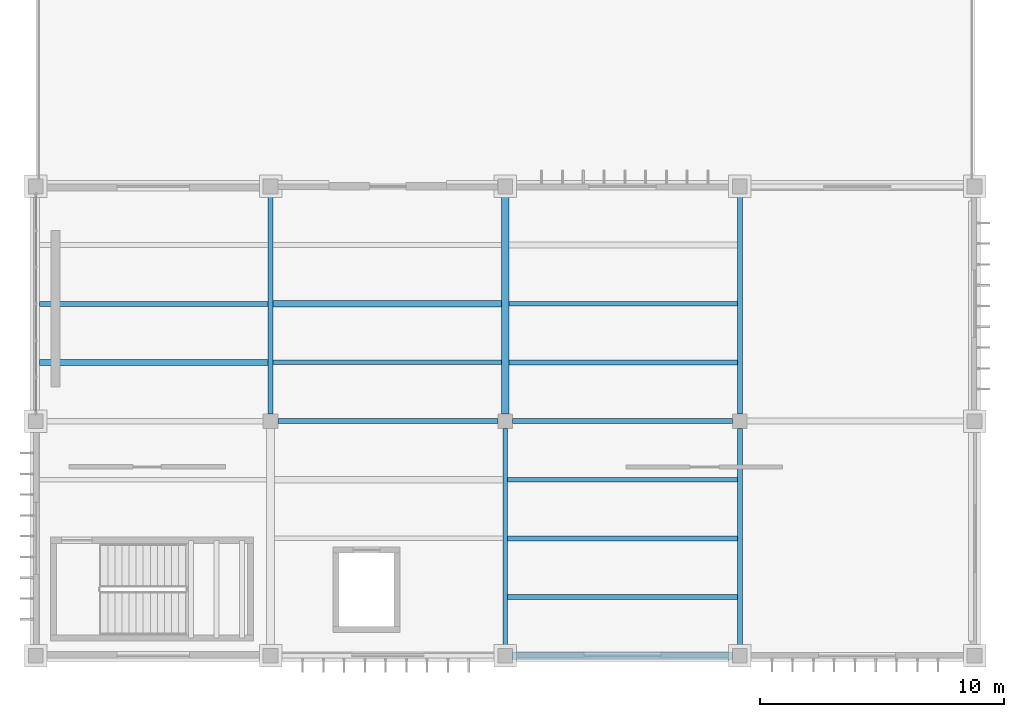
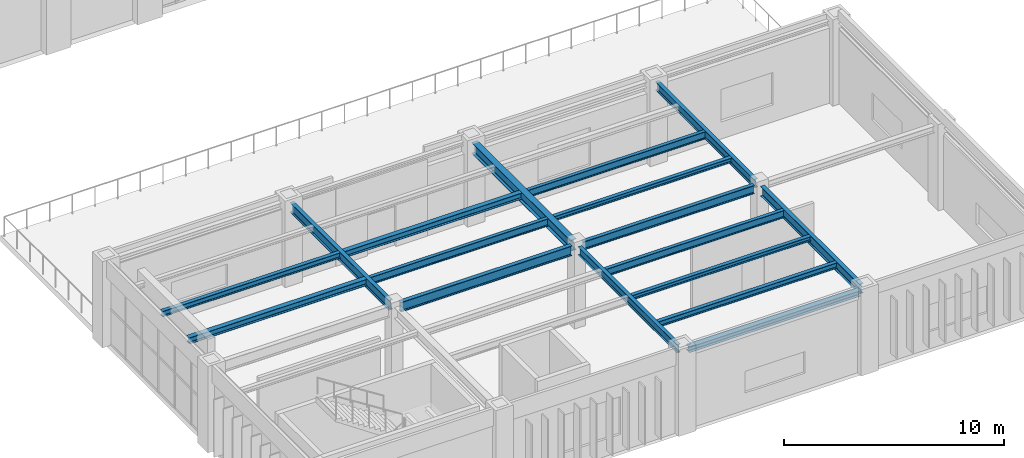
# One storey, part 4 of 83: 17 beams.
"""IFC4 building model written with IfcOpenShell, lengths in metres."""

from ifc_helpers import new_model, si_unit, direction, frame, origin, origin_2d, place, context, subcontext, project, spatial, i_section, extrude, material, material_profile, profile_set, type_object, element, save


model = new_model("IFC4")

# Units and contexts
model_context = context("Model", 3, precision=1e-05, world=origin(), true_north=direction((0.0, 1.0)))
body_context = subcontext(model_context, "Body", "Model", "MODEL_VIEW")
ifc_project = project(units=[si_unit("LENGTHUNIT", "METRE"), si_unit("AREAUNIT", "SQUARE_METRE"), si_unit("VOLUMEUNIT", "CUBIC_METRE"), si_unit("PLANEANGLEUNIT", "RADIAN"), si_unit("MASSUNIT", "GRAM", prefix="KILO")], contexts=[model_context])

# Site, building, storey
site_placement = place(None, origin())
site = spatial("IfcSite", under=ifc_project, at=site_placement, CompositionType="ELEMENT")
building_placement = place(site_placement, origin())
building = spatial("IfcBuilding", under=site, at=building_placement, Name="Mavantir Sound Aquarium", CompositionType="ELEMENT")
storey_placement = place(building_placement, frame((0.0, 0.0, 10.5)))
storey = spatial("IfcBuildingStorey", under=building, at=storey_placement, Name="L02", CompositionType="ELEMENT", Elevation=10.5)

# Beams
ifc_material = material(Name="Structural Steel ASTM A992 Gr50", Category="steel")
ifc_material_profile_1 = material_profile(ifc_material, i_section(OverallWidth=0.202880859375, OverallDepth=0.251953125, WebThickness=0.008056640625, FlangeThickness=0.013427734375, FilletRadius=0.011962890625, at=origin_2d()), Name="W250X58")
ifc_profile_set_1 = profile_set([ifc_material_profile_1], Name="Structural Steel ASTM A992 Gr50")
beam_type_1 = type_object("IfcBeamType", Name="BM-W250X58-I", PredefinedType="JOIST", material=ifc_profile_set_1)
beam_1_placement = place(storey_placement, frame((19.297119140625, 4.800048828125, 4.389892578125), z_axis=(1.0, 0.0, 0.0), x_axis=(0.0, 1.0, 0.0)))
element("IfcBeam", 1, at=beam_1_placement, inside=storey, type_object=beam_type_1, Name="L02 secondary floor joist SJ-25 880", PredefinedType="JOIST", context=body_context, shape_type="SweptSolid", body=[
    extrude(i_section(OverallWidth=0.202880859375, OverallDepth=0.251953125, WebThickness=0.008056640625, FlangeThickness=0.013427734375, FilletRadius=0.011962890625, at=origin_2d()), origin(), (0.0, 0.0, 1.0), 9.39697265625),
])
beam_2_placement = place(storey_placement, frame((19.362060546875, 12.0, 4.389892578125), z_axis=(1.0, 0.0, 0.0), x_axis=(0.0, 1.0, 0.0)))
element("IfcBeam", 2, at=beam_2_placement, inside=storey, type_object=beam_type_1, Name="L02 secondary floor joist SJ-25 888", PredefinedType="JOIST", context=body_context, shape_type="SweptSolid", body=[
    extrude(i_section(OverallWidth=0.202880859375, OverallDepth=0.251953125, WebThickness=0.008056640625, FlangeThickness=0.013427734375, FilletRadius=0.011962890625, at=origin_2d()), origin(), (0.0, 0.0, 1.0), 9.3408203125),
])
ifc_material_profile_2 = material_profile(ifc_material, i_section(OverallWidth=0.205078125, OverallDepth=0.31005859375, WebThickness=0.009521484375, FlangeThickness=0.016357421875, FilletRadius=0.012939453125, at=origin_2d()), Name="W310X74")
ifc_profile_set_2 = profile_set([ifc_material_profile_2], Name="Structural Steel ASTM A992 Gr50")
beam_type_2 = type_object("IfcBeamType", Name="BM-W310X74-I", PredefinedType="JOIST", material=ifc_profile_set_2)
beam_3_placement = place(storey_placement, frame((19.297119140625, 2.39990234375, 4.361083984375), z_axis=(1.0, 0.0, 0.0), x_axis=(0.0, 1.0, 0.0)))
element("IfcBeam", 3, at=beam_3_placement, inside=storey, type_object=beam_type_2, Name="L02 secondary floor joist SJ-31 879", PredefinedType="JOIST", context=body_context, shape_type="SweptSolid", body=[
    extrude(i_section(OverallWidth=0.205078125, OverallDepth=0.31005859375, WebThickness=0.009521484375, FlangeThickness=0.016357421875, FilletRadius=0.012939453125, at=origin_2d()), origin(), (0.0, 0.0, 1.0), 9.39697265625),
])
beam_4_placement = place(storey_placement, frame((0.152587890625, 14.39990234375, 4.361083984375), z_axis=(1.0, 0.0, 0.0), x_axis=(0.0, 1.0, 0.0)))
element("IfcBeam", 4, at=beam_4_placement, inside=storey, type_object=beam_type_2, Name="L02 secondary floor joist SJ-31 883", PredefinedType="JOIST", context=body_context, shape_type="SweptSolid", body=[
    extrude(i_section(OverallWidth=0.205078125, OverallDepth=0.31005859375, WebThickness=0.009521484375, FlangeThickness=0.016357421875, FilletRadius=0.012939453125, at=origin_2d()), origin(), (0.0, 0.0, 1.0), 9.34130859375),
])
ifc_material_profile_3 = material_profile(ifc_material, i_section(OverallWidth=0.304931640625, OverallDepth=0.30810546875, WebThickness=0.010009765625, FlangeThickness=0.015380859375, FilletRadius=0.014892578125, at=origin_2d()), Name="W310X97")
ifc_profile_set_3 = profile_set([ifc_material_profile_3], Name="Structural Steel ASTM A992 Gr50")
beam_type_3 = type_object("IfcBeamType", Name="BM-W310X97-E", PredefinedType="SPANDREL", material=ifc_profile_set_3)
beam_5_placement = place(storey_placement, frame((19.5, 0.0, 4.362060546875), z_axis=(1.0, 0.0, 0.0), x_axis=(0.0, 1.0, 0.0)))
element("IfcBeam", 5, at=beam_5_placement, inside=storey, type_object=beam_type_3, Name="L02 primary beam SS-31A 1495", PredefinedType="SPANDREL", context=body_context, shape_type="SweptSolid", body=[
    extrude(i_section(OverallWidth=0.304931640625, OverallDepth=0.30810546875, WebThickness=0.010009765625, FlangeThickness=0.015380859375, FilletRadius=0.014892578125, at=origin_2d()), origin(), (0.0, 0.0, 1.0), 9.0),
])
ifc_material_profile_4 = material_profile(ifc_material, i_section(OverallWidth=0.25390625, OverallDepth=0.35302734375, WebThickness=0.009521484375, FlangeThickness=0.016357421875, FilletRadius=0.014892578125, at=origin_2d()), Name="W360X91")
ifc_profile_set_4 = profile_set([ifc_material_profile_4], Name="Structural Steel ASTM A992 Gr50")
beam_type_4 = type_object("IfcBeamType", Name="BM-W360X91-I", PredefinedType="JOIST", material=ifc_profile_set_4)
beam_6_placement = place(storey_placement, frame((0.152587890625, 12.0, 4.339599609375), z_axis=(1.0, 0.0, 0.0), x_axis=(0.0, 1.0, 0.0)))
element("IfcBeam", 6, at=beam_6_placement, inside=storey, type_object=beam_type_4, Name="L02 secondary floor joist SJ-36 882", PredefinedType="JOIST", context=body_context, shape_type="SweptSolid", body=[
    extrude(i_section(OverallWidth=0.25390625, OverallDepth=0.35302734375, WebThickness=0.009521484375, FlangeThickness=0.016357421875, FilletRadius=0.014892578125, at=origin_2d()), origin(), (0.0, 0.0, 1.0), 9.34130859375),
])
beam_7_placement = place(storey_placement, frame((9.7060546875, 14.39990234375, 4.339599609375), z_axis=(1.0, 0.0, 0.0), x_axis=(0.0, 1.0, 0.0)))
element("IfcBeam", 7, at=beam_7_placement, inside=storey, type_object=beam_type_4, Name="L02 secondary floor joist SJ-36 886", PredefinedType="JOIST", context=body_context, shape_type="SweptSolid", body=[
    extrude(i_section(OverallWidth=0.25390625, OverallDepth=0.35302734375, WebThickness=0.009521484375, FlangeThickness=0.016357421875, FilletRadius=0.014892578125, at=origin_2d()), origin(), (0.0, 0.0, 1.0), 9.33203125),
])
ifc_material_profile_5 = material_profile(ifc_material, i_section(OverallWidth=0.180908203125, OverallDepth=0.4169921875, WebThickness=0.010986328125, FlangeThickness=0.018310546875, FilletRadius=0.014892578125, at=origin_2d()), Name="W410X85")
ifc_profile_set_5 = profile_set([ifc_material_profile_5], Name="Structural Steel ASTM A992 Gr50")
beam_type_5 = type_object("IfcBeamType", Name="BM-W410X85-I", PredefinedType="JOIST", material=ifc_profile_set_5)
beam_8_placement = place(storey_placement, frame((19.297119140625, 7.199951171875, 4.3076171875), z_axis=(1.0, 0.0, 0.0), x_axis=(0.0, 1.0, 0.0)))
element("IfcBeam", 8, at=beam_8_placement, inside=storey, type_object=beam_type_5, Name="L02 secondary floor joist SJ-41 881", PredefinedType="JOIST", context=body_context, shape_type="SweptSolid", body=[
    extrude(i_section(OverallWidth=0.180908203125, OverallDepth=0.4169921875, WebThickness=0.010986328125, FlangeThickness=0.018310546875, FilletRadius=0.014892578125, at=origin_2d()), origin(), (0.0, 0.0, 1.0), 9.39697265625),
])
beam_9_placement = place(storey_placement, frame((9.7060546875, 12.0, 4.3076171875), z_axis=(1.0, 0.0, 0.0), x_axis=(0.0, 1.0, 0.0)))
element("IfcBeam", 9, at=beam_9_placement, inside=storey, type_object=beam_type_5, Name="L02 secondary floor joist SJ-41 885", PredefinedType="JOIST", context=body_context, shape_type="SweptSolid", body=[
    extrude(i_section(OverallWidth=0.180908203125, OverallDepth=0.4169921875, WebThickness=0.010986328125, FlangeThickness=0.018310546875, FilletRadius=0.014892578125, at=origin_2d()), origin(), (0.0, 0.0, 1.0), 9.33203125),
])
beam_10_placement = place(storey_placement, frame((19.362060546875, 14.39990234375, 4.3076171875), z_axis=(1.0, 0.0, 0.0), x_axis=(0.0, 1.0, 0.0)))
element("IfcBeam", 10, at=beam_10_placement, inside=storey, type_object=beam_type_5, Name="L02 secondary floor joist SJ-41 889", PredefinedType="JOIST", context=body_context, shape_type="SweptSolid", body=[
    extrude(i_section(OverallWidth=0.180908203125, OverallDepth=0.4169921875, WebThickness=0.010986328125, FlangeThickness=0.018310546875, FilletRadius=0.014892578125, at=origin_2d()), origin(), (0.0, 0.0, 1.0), 9.3408203125),
])
ifc_material_profile_6 = material_profile(ifc_material, i_section(OverallWidth=0.194091796875, OverallDepth=0.468994140625, WebThickness=0.0126953125, FlangeThickness=0.0205078125, FilletRadius=0.01611328125, at=origin_2d()), Name="W460X106")
ifc_profile_set_6 = profile_set([ifc_material_profile_6], Name="Structural Steel ASTM A992 Gr50")
beam_type_6 = type_object("IfcBeamType", Name="BM-W460X106-I", PredefinedType="BEAM", material=ifc_profile_set_6)
for number, where, z_axis, x_axis, name in (
    (11, (19.5, 9.60009765625, 4.281494140625), (1.0, 0.0, 0.0), (0.0, 1.0, 0.0), "L02 primary beam SB-46 1499"),
    (12, (19.199951171875, 0.300048828125, 4.281494140625), (0.0, 1.0, 0.0), (-1.0, 0.0, 0.0), "L02 primary girder SB-46 1509"),
    (13, (28.800048828125, 9.89990234375, 4.281494140625), (0.0, 1.0, 0.0), (-1.0, 0.0, 0.0), "L02 primary girder SB-46 1512"),
):
    element("IfcBeam", number, at=place(storey_placement, frame(where, z_axis=z_axis, x_axis=x_axis)), inside=storey, type_object=beam_type_6, Name=name, PredefinedType="BEAM", context=body_context, shape_type="SweptSolid", body=[
        extrude(i_section(OverallWidth=0.194091796875, OverallDepth=0.468994140625, WebThickness=0.0126953125, FlangeThickness=0.0205078125, FilletRadius=0.01611328125, at=origin_2d()), origin(), (0.0, 0.0, 1.0), 9.0),
    ])
ifc_material_profile_7 = material_profile(ifc_material, i_section(OverallWidth=0.2119140625, OverallDepth=0.5439453125, WebThickness=0.01318359375, FlangeThickness=0.021240234375, FilletRadius=0.01806640625, at=origin_2d()), Name="W530X123")
ifc_profile_set_7 = profile_set([ifc_material_profile_7], Name="Structural Steel ASTM A992 Gr50")
beam_type_7 = type_object("IfcBeamType", Name="BM-W530X123-I", PredefinedType="BEAM", material=ifc_profile_set_7)
for number, where, z_axis, x_axis, name in (
    (14, (9.89990234375, 9.60009765625, 4.243896484375), (1.0, 0.0, 0.0), (0.0, 1.0, 0.0), "L02 primary beam SB-53 1498"),
    (15, (9.60009765625, 9.89990234375, 4.243896484375), (0.0, 1.0, 0.0), (-1.0, 0.0, 0.0), "L02 primary girder SB-53 1508"),
    (16, (28.800048828125, 0.300048828125, 4.243896484375), (0.0, 1.0, 0.0), (-1.0, 0.0, 0.0), "L02 primary girder SB-53 1511"),
):
    element("IfcBeam", number, at=place(storey_placement, frame(where, z_axis=z_axis, x_axis=x_axis)), inside=storey, type_object=beam_type_7, Name=name, PredefinedType="BEAM", context=body_context, shape_type="SweptSolid", body=[
        extrude(i_section(OverallWidth=0.2119140625, OverallDepth=0.5439453125, WebThickness=0.01318359375, FlangeThickness=0.021240234375, FilletRadius=0.01806640625, at=origin_2d()), origin(), (0.0, 0.0, 1.0), 9.0),
    ])
ifc_material_profile_8 = material_profile(ifc_material, i_section(OverallWidth=0.323974609375, OverallDepth=0.611083984375, WebThickness=0.0126953125, FlangeThickness=0.01904296875, FilletRadius=0.01904296875, at=origin_2d()), Name="W610X155")
ifc_profile_set_8 = profile_set([ifc_material_profile_8], Name="Structural Steel ASTM A992 Gr50")
beam_type_8 = type_object("IfcBeamType", Name="BM-W610X155-I", PredefinedType="BEAM", material=ifc_profile_set_8)
beam_11_placement = place(storey_placement, frame((19.199951171875, 9.89990234375, 4.21044921875), z_axis=(0.0, 1.0, 0.0), x_axis=(-1.0, 0.0, 0.0)))
element("IfcBeam", 17, at=beam_11_placement, inside=storey, type_object=beam_type_8, Name="L02 primary girder SB-61A 1510", PredefinedType="BEAM", context=body_context, shape_type="SweptSolid", body=[
    extrude(i_section(OverallWidth=0.323974609375, OverallDepth=0.611083984375, WebThickness=0.0126953125, FlangeThickness=0.01904296875, FilletRadius=0.01904296875, at=origin_2d()), origin(), (0.0, 0.0, 1.0), 9.0),
])

save(model, "model.ifc")
